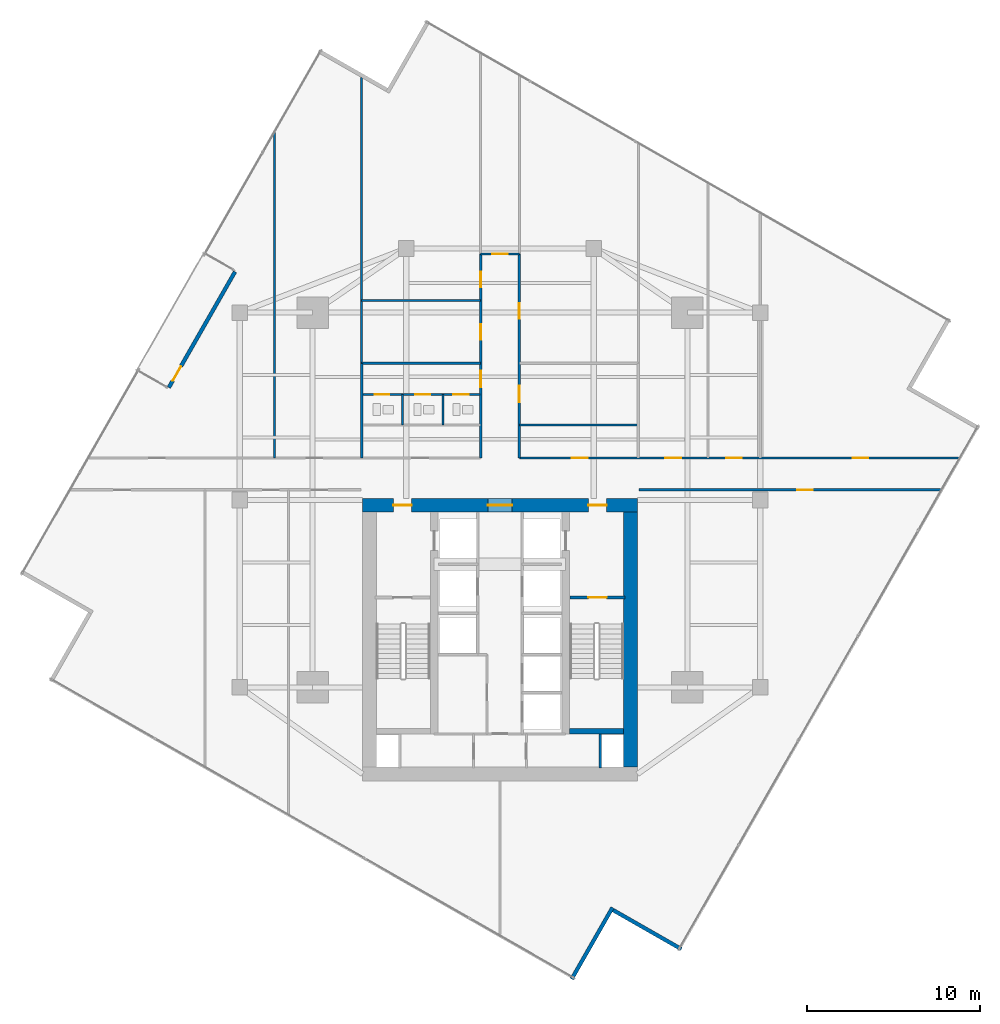
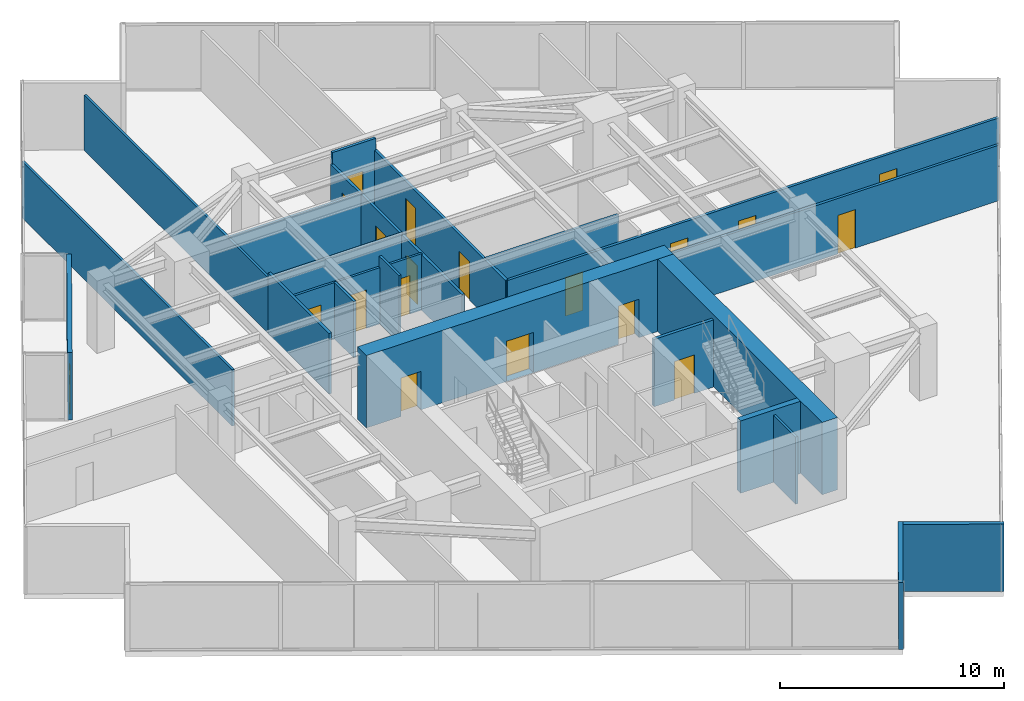
# One storey, part 21 of 24: 22 walls, 19 doors, 19 openings.
"""IFC4 building model written with IfcOpenShell, lengths in metres."""

from ifc_helpers import new_model, si_unit, direction, frame, frame_2d, origin, place, context, subcontext, project, spatial, rectangle, extrude, material, layer, layer_set, type_object, element, fill, save


model = new_model("IFC4")

# Units and contexts
model_context = context("Model", 3, precision=1e-05, world=origin(), true_north=direction((0.0, 1.0)))
body_context = subcontext(model_context, "Body", "Model", "MODEL_VIEW")
ifc_project = project(units=[si_unit("LENGTHUNIT", "METRE"), si_unit("AREAUNIT", "SQUARE_METRE"), si_unit("VOLUMEUNIT", "CUBIC_METRE"), si_unit("PLANEANGLEUNIT", "RADIAN"), si_unit("MASSUNIT", "GRAM", prefix="KILO")], contexts=[model_context])

# Site, building, storey
site_placement = place(None, origin())
site = spatial("IfcSite", under=ifc_project, at=site_placement, CompositionType="ELEMENT")
building_placement = place(site_placement, origin())
building = spatial("IfcBuilding", under=site, at=building_placement, Name="Krantzveldt Concourse Tower", CompositionType="ELEMENT")
storey_placement = place(building_placement, frame((0.0, 0.0, 169.89990234375)))
storey = spatial("IfcBuildingStorey", under=building, at=storey_placement, Name="L41", CompositionType="ELEMENT", Elevation=169.89990234375)

# Wall, opening, door
ifc_material_1 = material(Name="Anodised aluminium 6063-T6", Category="aluminium")
ifc_layer_1 = layer(ifc_material_1, 0.219970703125, Name="Anodised aluminium 6063-T6", Category="aluminium")
ifc_layer_set_1 = layer_set([ifc_layer_1], Name="Anodised aluminium 6063-T6 (WL-EXT-NOTCH220)")
wall_type_1 = type_object("IfcWallType", Name="WL-EXT-NOTCH220", PredefinedType="ELEMENTEDWALL", material=ifc_layer_set_1)
wall_1_placement = place(storey_placement, frame((16.910400390625, 33.181884765625, 0.0), z_axis=(0.0, 0.0, 1.0), x_axis=(0.496214153759, 0.868200157572, 0.0)))
wall_1 = element("IfcWall", 1, at=wall_1_placement, inside=storey, type_object=wall_type_1, Name="EW-L41-TSLOT", PredefinedType="ELEMENTEDWALL", context=body_context, shape_type="SweptSolid", body=[
    extrude(rectangle(XDim=7.68994140625, YDim=0.219970703125, at=frame_2d((3.844970703125, 0.0))), origin(), (0.0, 0.0, 1.0), 3.670166015625),
])
opening_1_placement = place(wall_1_placement, frame((0.449951171875, 0.0, 0.0)))
opening_1 = element("IfcOpeningElement", 2, at=opening_1_placement, cuts=wall_1, Name="Opening D-EX95", PredefinedType="OPENING", context=body_context, shape_type="SweptSolid", body=[
    extrude(rectangle(XDim=0.949951171875, YDim=2.10009765625, at=frame_2d((0.47509765625, 1.050048828125))), frame((0.0, 0.1201171875, 0.0), z_axis=(0.0, -1.0, 0.0), x_axis=(1.0, 0.0, 0.0)), (0.0, 0.0, 1.0), 0.239990234375),
])
door_type_1 = type_object("IfcDoorType", Name="DR-EXT-950", OperationType="SINGLE_SWING_LEFT", PredefinedType="DOOR", material=ifc_material_1)
door_1_placement = place(opening_1_placement, origin())
door_1 = element("IfcDoor", 3, at=door_1_placement, inside=storey, type_object=door_type_1, Name="DR-L41-TERR", OperationType="SINGLE_SWING_LEFT", OverallHeight=2.10009765625, OverallWidth=0.949951171875, PredefinedType="DOOR", context=body_context, shape_type="SweptSolid", body=[
    extrude(rectangle(XDim=0.949951171875, YDim=2.10009765625, at=frame_2d((0.47509765625, 1.050048828125))), frame((0.0, 0.02490234375, 0.0), z_axis=(0.0, -1.0, 0.0), x_axis=(1.0, 0.0, 0.0)), (0.0, 0.0, 1.0), 0.050048828125),
])
fill(opening_1, door_1)

# Walls
wall_2_placement = place(storey_placement, frame((40.131591796875, -0.914794921875, 0.0), z_axis=(0.0, 0.0, 1.0), x_axis=(0.496205429031, 0.868205144076, 0.0)))
element("IfcWall", 4, at=wall_2_placement, inside=storey, type_object=wall_type_1, Name="EW-L41-NCH09", PredefinedType="ELEMENTEDWALL", context=body_context, shape_type="SweptSolid", body=[
    extrude(rectangle(XDim=4.744873046875, YDim=0.219970703125, at=frame_2d((2.37255859375, 0.0))), origin(), (0.0, 0.0, 1.0), 3.670166015625),
])
wall_3_placement = place(storey_placement, frame((42.527099609375, 3.0546875, 0.0), z_axis=(0.0, 0.0, 1.0), x_axis=(0.868193332938, -0.496226094278, 0.0)))
element("IfcWall", 5, at=wall_3_placement, inside=storey, type_object=wall_type_1, Name="EW-L41-NCH10", PredefinedType="ELEMENTEDWALL", context=body_context, shape_type="SweptSolid", body=[
    extrude(rectangle(XDim=4.52490234375, YDim=0.219970703125, at=frame_2d((2.262451171875, 0.0))), origin(), (0.0, 0.0, 1.0), 3.670166015625),
])
ifc_material_2 = material(Name="Fire-rated gypsum plasterboard on steel stud", Category="steel")
ifc_layer_2 = layer(ifc_material_2, 0.1201171875, Name="Fire-rated gypsum plasterboard on steel stud", Category="steel")
ifc_layer_set_2 = layer_set([ifc_layer_2], Name="Fire-rated gypsum plasterboard on steel stud (WL-PART-120)")
wall_type_2 = type_object("IfcWallType", Name="WL-PART-120", PredefinedType="PARTITIONING", material=ifc_layer_set_2)
wall_4_placement = place(storey_placement, frame((37.1201171875, 31.02001953125, 0.0), z_axis=(0.0, 0.0, 1.0), x_axis=(1.0, 0.0, 0.0)))
element("IfcWall", 6, at=wall_4_placement, inside=storey, type_object=wall_type_2, Name="WP-L41-ISMR", PredefinedType="PARTITIONING", context=body_context, shape_type="SweptSolid", body=[
    extrude(rectangle(XDim=6.85986328125, YDim=0.1201171875, at=frame_2d((3.429931640625, 0.0))), origin(), (0.0, 0.0, 1.0), 3.080078125),
])

# Wall, openings, doors
wall_5_placement = place(storey_placement, frame((28.050048828125, 32.780029296875, 0.0), z_axis=(0.0, 0.0, 1.0), x_axis=(1.0, 0.0, 0.0)))
wall_5 = element("IfcWall", 7, at=wall_5_placement, inside=storey, type_object=wall_type_2, Name="WP-L41-WCHDR", PredefinedType="PARTITIONING", context=body_context, shape_type="SweptSolid", body=[
    extrude(rectangle(XDim=6.800048828125, YDim=0.1201171875, at=frame_2d((3.39990234375, 0.0))), origin(), (0.0, 0.0, 1.0), 3.080078125),
])
opening_2_placement = place(wall_5_placement, frame((0.72509765625, 0.0, 0.0)))
opening_2 = element("IfcOpeningElement", 8, at=opening_2_placement, cuts=wall_5, Name="Opening D-IN085", PredefinedType="OPENING", context=body_context, shape_type="SweptSolid", body=[
    extrude(rectangle(XDim=0.85009765625, YDim=2.10009765625, at=frame_2d((0.425048828125, 1.050048828125))), frame((0.0, 0.070068359375, 0.0), z_axis=(0.0, -1.0, 0.0), x_axis=(1.0, 0.0, 0.0)), (0.0, 0.0, 1.0), 0.14013671875),
])
opening_3_placement = place(wall_5_placement, frame((3.06494140625, 0.0, 0.0)))
opening_3 = element("IfcOpeningElement", 9, at=opening_3_placement, cuts=wall_5, Name="Opening D-IN085", PredefinedType="OPENING", context=body_context, shape_type="SweptSolid", body=[
    extrude(rectangle(XDim=0.85009765625, YDim=2.10009765625, at=frame_2d((0.425048828125, 1.050048828125))), frame((0.0, 0.070068359375, 0.0), z_axis=(0.0, -1.0, 0.0), x_axis=(1.0, 0.0, 0.0)), (0.0, 0.0, 1.0), 0.14013671875),
])
opening_4_placement = place(wall_5_placement, frame((5.25, 0.0, 0.0)))
opening_4 = element("IfcOpeningElement", 10, at=opening_4_placement, cuts=wall_5, Name="Opening D-IN090", PredefinedType="OPENING", context=body_context, shape_type="SweptSolid", body=[
    extrude(rectangle(XDim=0.89990234375, YDim=2.10009765625, at=frame_2d((0.449951171875, 1.050048828125))), frame((0.0, 0.070068359375, 0.0), z_axis=(0.0, -1.0, 0.0), x_axis=(1.0, 0.0, 0.0)), (0.0, 0.0, 1.0), 0.14013671875),
])
ifc_material_3 = material(Name="Hardwood timber", Category="wood")
door_type_2 = type_object("IfcDoorType", Name="DR-INT-850", OperationType="SINGLE_SWING_LEFT", PredefinedType="DOOR", material=ifc_material_3)
door_2_placement = place(opening_2_placement, origin())
door_2 = element("IfcDoor", 11, at=door_2_placement, inside=storey, type_object=door_type_2, Name="DR-L41-WCM", OperationType="SINGLE_SWING_LEFT", OverallHeight=2.10009765625, OverallWidth=0.85009765625, PredefinedType="DOOR", context=body_context, shape_type="SweptSolid", body=[
    extrude(rectangle(XDim=0.85009765625, YDim=2.10009765625, at=frame_2d((0.425048828125, 1.050048828125))), frame((0.0, 0.02490234375, 0.0), z_axis=(0.0, -1.0, 0.0), x_axis=(1.0, 0.0, 0.0)), (0.0, 0.0, 1.0), 0.050048828125),
])
fill(opening_2, door_2)
door_3_placement = place(opening_3_placement, origin())
door_3 = element("IfcDoor", 12, at=door_3_placement, inside=storey, type_object=door_type_2, Name="DR-L41-WCF", OperationType="SINGLE_SWING_RIGHT", OverallHeight=2.10009765625, OverallWidth=0.85009765625, PredefinedType="DOOR", context=body_context, shape_type="SweptSolid", body=[
    extrude(rectangle(XDim=0.85009765625, YDim=2.10009765625, at=frame_2d((0.425048828125, 1.050048828125))), frame((0.0, 0.02490234375, 0.0), z_axis=(0.0, -1.0, 0.0), x_axis=(1.0, 0.0, 0.0)), (0.0, 0.0, 1.0), 0.050048828125),
])
fill(opening_3, door_3)
door_type_3 = type_object("IfcDoorType", Name="DR-INT-900", OperationType="SINGLE_SWING_LEFT", PredefinedType="DOOR", material=ifc_material_3)
door_4_placement = place(opening_4_placement, origin())
door_4 = element("IfcDoor", 13, at=door_4_placement, inside=storey, type_object=door_type_3, Name="DR-L41-WCA", OperationType="SINGLE_SWING_LEFT", OverallHeight=2.10009765625, OverallWidth=0.89990234375, PredefinedType="DOOR", context=body_context, shape_type="SweptSolid", body=[
    extrude(rectangle(XDim=0.89990234375, YDim=2.10009765625, at=frame_2d((0.449951171875, 1.050048828125))), frame((0.0, 0.02490234375, 0.0), z_axis=(0.0, -1.0, 0.0), x_axis=(1.0, 0.0, 0.0)), (0.0, 0.0, 1.0), 0.050048828125),
])
fill(opening_4, door_4)

# Walls
wall_6_placement = place(storey_placement, frame((30.3701171875, 31.02001953125, 0.0), z_axis=(0.0, 0.0, 1.0), x_axis=(0.0, 1.0, 0.0)))
element("IfcWall", 14, at=wall_6_placement, inside=storey, type_object=wall_type_2, Name="WP-L41-WCD1", PredefinedType="PARTITIONING", context=body_context, shape_type="SweptSolid", body=[
    extrude(rectangle(XDim=1.760009765625, YDim=0.1201171875, at=frame_2d((0.8798828125, 0.0))), origin(), (0.0, 0.0, 1.0), 3.080078125),
])
wall_7_placement = place(storey_placement, frame((32.7099609375, 31.02001953125, 0.0), z_axis=(0.0, 0.0, 1.0), x_axis=(0.0, 1.0, 0.0)))
element("IfcWall", 15, at=wall_7_placement, inside=storey, type_object=wall_type_2, Name="WP-L41-WCD2", PredefinedType="PARTITIONING", context=body_context, shape_type="SweptSolid", body=[
    extrude(rectangle(XDim=1.760009765625, YDim=0.1201171875, at=frame_2d((0.8798828125, 0.0))), origin(), (0.0, 0.0, 1.0), 3.670166015625),
])
wall_8_placement = place(storey_placement, frame((23.0, 29.1201171875, 0.0), z_axis=(0.0, 0.0, 1.0), x_axis=(0.0, 1.0, 0.0)))
element("IfcWall", 16, at=wall_8_placement, inside=storey, type_object=wall_type_2, Name="WP-L41-NWX1", PredefinedType="PARTITIONING", context=body_context, shape_type="SweptSolid", body=[
    extrude(rectangle(XDim=18.787109375, YDim=0.1201171875, at=frame_2d((9.3935546875, 0.0))), origin(), (0.0, 0.0, 1.0), 3.080078125),
])
wall_9_placement = place(storey_placement, frame((28.02001953125, 34.580078125, 0.0), z_axis=(0.0, 0.0, 1.0), x_axis=(0.0, 1.0, 0.0)))
element("IfcWall", 17, at=wall_9_placement, inside=storey, type_object=wall_type_2, Name="WP-L41-ISWL2", PredefinedType="PARTITIONING", context=body_context, shape_type="SweptSolid", body=[
    extrude(rectangle(XDim=16.463134765625, YDim=0.1201171875, at=frame_2d((8.2314453125, 0.0))), origin(), (0.0, 0.0, 1.0), 3.030029296875),
])
wall_10_placement = place(storey_placement, frame((28.02001953125, 38.199951171875, 0.0), z_axis=(0.0, 0.0, 1.0), x_axis=(1.0, 0.0, 0.0)))
element("IfcWall", 18, at=wall_10_placement, inside=storey, type_object=wall_type_2, Name="WP-L41-NWIY", PredefinedType="PARTITIONING", context=body_context, shape_type="SweptSolid", body=[
    extrude(rectangle(XDim=6.85986328125, YDim=0.1201171875, at=frame_2d((3.429931640625, 0.0))), origin(), (0.0, 0.0, 1.0), 3.080078125),
])

# Wall, openings, doors
ifc_layer_3 = layer(ifc_material_2, 0.139892578125, Name="Fire-rated gypsum plasterboard on steel stud", Category="steel")
ifc_layer_set_3 = layer_set([ifc_layer_3], Name="Fire-rated gypsum plasterboard on steel stud (WL-PART-140)")
wall_type_3 = type_object("IfcWallType", Name="WL-PART-140", PredefinedType="PARTITIONING", material=ifc_layer_set_3)
wall_11_placement = place(storey_placement, frame((34.8798828125, 29.1201171875, 0.0), z_axis=(0.0, 0.0, 1.0), x_axis=(0.0, 1.0, 0.0)))
wall_11 = element("IfcWall", 19, at=wall_11_placement, inside=storey, type_object=wall_type_3, Name="WP-L41-SPWL", PredefinedType="PARTITIONING", context=body_context, shape_type="SweptSolid", body=[
    extrude(rectangle(XDim=11.759765625, YDim=0.139892578125, at=frame_2d((5.8798828125, 0.0))), origin(), (0.0, 0.0, 1.0), 3.030029296875),
])
opening_5_placement = place(wall_11_placement, frame((4.0849609375, 0.0, 0.0)))
opening_5 = element("IfcOpeningElement", 20, at=opening_5_placement, cuts=wall_11, Name="Opening D-IN095", PredefinedType="OPENING", context=body_context, shape_type="SweptSolid", body=[
    extrude(rectangle(XDim=0.949951171875, YDim=2.10009765625, at=frame_2d((0.47509765625, 1.050048828125))), frame((0.0, 0.080078125, 0.0), z_axis=(0.0, -1.0, 0.0), x_axis=(1.0, 0.0, 0.0)), (0.0, 0.0, 1.0), 0.159912109375),
])
opening_6_placement = place(wall_11_placement, frame((6.820068359375, 0.0, 0.0)))
opening_6 = element("IfcOpeningElement", 21, at=opening_6_placement, cuts=wall_11, Name="Opening D-IN090", PredefinedType="OPENING", context=body_context, shape_type="SweptSolid", body=[
    extrude(rectangle(XDim=0.89990234375, YDim=2.10009765625, at=frame_2d((0.449951171875, 1.050048828125))), frame((0.0, 0.080078125, 0.0), z_axis=(0.0, -1.0, 0.0), x_axis=(1.0, 0.0, 0.0)), (0.0, 0.0, 1.0), 0.159912109375),
])
opening_7_placement = place(wall_11_placement, frame((9.830078125, 0.0, 0.0)))
opening_7 = element("IfcOpeningElement", 22, at=opening_7_placement, cuts=wall_11, Name="Opening D-IN090", PredefinedType="OPENING", context=body_context, shape_type="SweptSolid", body=[
    extrude(rectangle(XDim=0.89990234375, YDim=2.10009765625, at=frame_2d((0.449951171875, 1.050048828125))), frame((0.0, 0.080078125, 0.0), z_axis=(0.0, -1.0, 0.0), x_axis=(1.0, 0.0, 0.0)), (0.0, 0.0, 1.0), 0.159912109375),
])
door_5_placement = place(opening_6_placement, origin())
door_5 = element("IfcDoor", 23, at=door_5_placement, inside=storey, type_object=door_type_3, Name="DR-L41-NWI1", OperationType="SINGLE_SWING_LEFT", OverallHeight=2.10009765625, OverallWidth=0.89990234375, PredefinedType="DOOR", context=body_context, shape_type="SweptSolid", body=[
    extrude(rectangle(XDim=0.89990234375, YDim=2.10009765625, at=frame_2d((0.449951171875, 1.050048828125))), frame((0.0, 0.02490234375, 0.0), z_axis=(0.0, -1.0, 0.0), x_axis=(1.0, 0.0, 0.0)), (0.0, 0.0, 1.0), 0.050048828125),
])
fill(opening_6, door_5)
door_6_placement = place(opening_7_placement, origin())
door_6 = element("IfcDoor", 24, at=door_6_placement, inside=storey, type_object=door_type_3, Name="DR-L41-NWI2", OperationType="SINGLE_SWING_LEFT", OverallHeight=2.10009765625, OverallWidth=0.89990234375, PredefinedType="DOOR", context=body_context, shape_type="SweptSolid", body=[
    extrude(rectangle(XDim=0.89990234375, YDim=2.10009765625, at=frame_2d((0.449951171875, 1.050048828125))), frame((0.0, 0.02490234375, 0.0), z_axis=(0.0, -1.0, 0.0), x_axis=(1.0, 0.0, 0.0)), (0.0, 0.0, 1.0), 0.050048828125),
])
fill(opening_7, door_6)
door_type_4 = type_object("IfcDoorType", Name="DR-INT-950", OperationType="SINGLE_SWING_LEFT", PredefinedType="DOOR", material=ifc_material_3)
door_7_placement = place(opening_5_placement, origin())
door_7 = element("IfcDoor", 25, at=door_7_placement, inside=storey, type_object=door_type_4, Name="DR-L41-WCLB", OperationType="SINGLE_SWING_LEFT", OverallHeight=2.10009765625, OverallWidth=0.949951171875, PredefinedType="DOOR", context=body_context, shape_type="SweptSolid", body=[
    extrude(rectangle(XDim=0.949951171875, YDim=2.10009765625, at=frame_2d((0.47509765625, 1.050048828125))), frame((0.0, 0.02490234375, 0.0), z_axis=(0.0, -1.0, 0.0), x_axis=(1.0, 0.0, 0.0)), (0.0, 0.0, 1.0), 0.050048828125),
])
fill(opening_5, door_7)

wall_12_placement = place(storey_placement, frame((37.1201171875, 29.1201171875, 0.0), z_axis=(0.0, 0.0, 1.0), x_axis=(0.0, 1.0, 0.0)))
wall_12 = element("IfcWall", 26, at=wall_12_placement, inside=storey, type_object=wall_type_3, Name="WP-L41-SPER", PredefinedType="PARTITIONING", context=body_context, shape_type="SweptSolid", body=[
    extrude(rectangle(XDim=11.759765625, YDim=0.139892578125, at=frame_2d((5.8798828125, 0.0))), origin(), (0.0, 0.0, 1.0), 3.030029296875),
])
opening_8_placement = place(wall_12_placement, frame((3.205078125, 0.0, 0.0)))
opening_8 = element("IfcOpeningElement", 27, at=opening_8_placement, cuts=wall_12, Name="Opening D-IN095", PredefinedType="OPENING", context=body_context, shape_type="SweptSolid", body=[
    extrude(rectangle(XDim=0.949951171875, YDim=2.10009765625, at=frame_2d((0.47509765625, 1.050048828125))), frame((0.0, 0.080078125, 0.0), z_axis=(0.0, -1.0, 0.0), x_axis=(1.0, 0.0, 0.0)), (0.0, 0.0, 1.0), 0.159912109375),
])
opening_9_placement = place(wall_12_placement, frame((8.02001953125, 0.0, 0.0)))
opening_9 = element("IfcOpeningElement", 28, at=opening_9_placement, cuts=wall_12, Name="Opening D-IN090", PredefinedType="OPENING", context=body_context, shape_type="SweptSolid", body=[
    extrude(rectangle(XDim=0.89990234375, YDim=2.10009765625, at=frame_2d((0.449951171875, 1.050048828125))), frame((0.0, 0.080078125, 0.0), z_axis=(0.0, -1.0, 0.0), x_axis=(1.0, 0.0, 0.0)), (0.0, 0.0, 1.0), 0.159912109375),
])
door_8_placement = place(opening_9_placement, origin())
door_8 = element("IfcDoor", 29, at=door_8_placement, inside=storey, type_object=door_type_3, Name="DR-L41-NEI1", OperationType="SINGLE_SWING_LEFT", OverallHeight=2.10009765625, OverallWidth=0.89990234375, PredefinedType="DOOR", context=body_context, shape_type="SweptSolid", body=[
    extrude(rectangle(XDim=0.89990234375, YDim=2.10009765625, at=frame_2d((0.449951171875, 1.050048828125))), frame((0.0, 0.02490234375, 0.0), z_axis=(0.0, -1.0, 0.0), x_axis=(1.0, 0.0, 0.0)), (0.0, 0.0, 1.0), 0.050048828125),
])
fill(opening_9, door_8)
door_9_placement = place(opening_8_placement, origin())
door_9 = element("IfcDoor", 30, at=door_9_placement, inside=storey, type_object=door_type_4, Name="DR-L41-PNT", OperationType="SINGLE_SWING_RIGHT", OverallHeight=2.10009765625, OverallWidth=0.949951171875, PredefinedType="DOOR", context=body_context, shape_type="SweptSolid", body=[
    extrude(rectangle(XDim=0.949951171875, YDim=2.10009765625, at=frame_2d((0.47509765625, 1.050048828125))), frame((0.0, 0.02490234375, 0.0), z_axis=(0.0, -1.0, 0.0), x_axis=(1.0, 0.0, 0.0)), (0.0, 0.0, 1.0), 0.050048828125),
])
fill(opening_8, door_9)

# Wall, opening, door
wall_13_placement = place(storey_placement, frame((34.8798828125, 40.8798828125, 0.0), z_axis=(0.0, 0.0, 1.0), x_axis=(1.0, 0.0, 0.0)))
wall_13 = element("IfcWall", 31, at=wall_13_placement, inside=storey, type_object=wall_type_3, Name="WP-L41-SPTOP", PredefinedType="PARTITIONING", context=body_context, shape_type="SweptSolid", body=[
    extrude(rectangle(XDim=2.240234375, YDim=0.139892578125, at=frame_2d((1.1201171875, 0.0))), origin(), (0.0, 0.0, 1.0), 3.670166015625),
])
opening_10_placement = place(wall_13_placement, frame((0.669921875, 0.0, 0.0)))
opening_10 = element("IfcOpeningElement", 32, at=opening_10_placement, cuts=wall_13, Name="Opening D-IN090", PredefinedType="OPENING", context=body_context, shape_type="SweptSolid", body=[
    extrude(rectangle(XDim=0.89990234375, YDim=2.10009765625, at=frame_2d((0.449951171875, 1.050048828125))), frame((0.0, 0.080078125, 0.0), z_axis=(0.0, -1.0, 0.0), x_axis=(1.0, 0.0, 0.0)), (0.0, 0.0, 1.0), 0.159912109375),
])
door_10_placement = place(opening_10_placement, origin())
door_10 = element("IfcDoor", 33, at=door_10_placement, inside=storey, type_object=door_type_3, Name="DR-L41-NTOP", OperationType="SINGLE_SWING_LEFT", OverallHeight=2.10009765625, OverallWidth=0.89990234375, PredefinedType="DOOR", context=body_context, shape_type="SweptSolid", body=[
    extrude(rectangle(XDim=0.89990234375, YDim=2.10009765625, at=frame_2d((0.449951171875, 1.050048828125))), frame((0.0, 0.02490234375, 0.0), z_axis=(0.0, -1.0, 0.0), x_axis=(1.0, 0.0, 0.0)), (0.0, 0.0, 1.0), 0.050048828125),
])
fill(opening_10, door_10)

# Wall, openings, doors
wall_14_placement = place(storey_placement, frame((37.1201171875, 29.1201171875, 0.0), z_axis=(0.0, 0.0, 1.0), x_axis=(1.0, 0.0, 0.0)))
wall_14 = element("IfcWall", 34, at=wall_14_placement, inside=storey, type_object=wall_type_3, Name="WP-L41-EWNR", PredefinedType="PARTITIONING", context=body_context, shape_type="SweptSolid", body=[
    extrude(rectangle(XDim=25.384033203125, YDim=0.139892578125, at=frame_2d((12.69189453125, 0.0))), origin(), (0.0, 0.0, 1.0), 3.030029296875),
])
opening_11_placement = place(wall_14_placement, frame((3.030029296875, 0.0, 0.0)))
opening_11 = element("IfcOpeningElement", 35, at=opening_11_placement, cuts=wall_14, Name="Opening D-IN090", PredefinedType="OPENING", context=body_context, shape_type="SweptSolid", body=[
    extrude(rectangle(XDim=0.89990234375, YDim=2.10009765625, at=frame_2d((0.449951171875, 1.050048828125))), frame((0.0, 0.080078125, 0.0), z_axis=(0.0, -1.0, 0.0), x_axis=(1.0, 0.0, 0.0)), (0.0, 0.0, 1.0), 0.159912109375),
])
opening_12_placement = place(wall_14_placement, frame((8.419921875, 0.0, 0.0)))
opening_12 = element("IfcOpeningElement", 36, at=opening_12_placement, cuts=wall_14, Name="Opening D-IN090", PredefinedType="OPENING", context=body_context, shape_type="SweptSolid", body=[
    extrude(rectangle(XDim=0.89990234375, YDim=2.10009765625, at=frame_2d((0.449951171875, 1.050048828125))), frame((0.0, 0.080078125, 0.0), z_axis=(0.0, -1.0, 0.0), x_axis=(1.0, 0.0, 0.0)), (0.0, 0.0, 1.0), 0.159912109375),
])
opening_13_placement = place(wall_14_placement, frame((11.929931640625, 0.0, 0.0)))
opening_13 = element("IfcOpeningElement", 37, at=opening_13_placement, cuts=wall_14, Name="Opening D-IN090", PredefinedType="OPENING", context=body_context, shape_type="SweptSolid", body=[
    extrude(rectangle(XDim=0.89990234375, YDim=2.10009765625, at=frame_2d((0.449951171875, 1.050048828125))), frame((0.0, 0.080078125, 0.0), z_axis=(0.0, -1.0, 0.0), x_axis=(1.0, 0.0, 0.0)), (0.0, 0.0, 1.0), 0.159912109375),
])
opening_14_placement = place(wall_14_placement, frame((19.2041015625, 0.0, 0.0)))
opening_14 = element("IfcOpeningElement", 38, at=opening_14_placement, cuts=wall_14, Name="Opening D-IN090", PredefinedType="OPENING", context=body_context, shape_type="SweptSolid", body=[
    extrude(rectangle(XDim=0.89990234375, YDim=2.10009765625, at=frame_2d((0.449951171875, 1.050048828125))), frame((0.0, 0.080078125, 0.0), z_axis=(0.0, -1.0, 0.0), x_axis=(1.0, 0.0, 0.0)), (0.0, 0.0, 1.0), 0.159912109375),
])
door_11_placement = place(opening_11_placement, origin())
door_11 = element("IfcDoor", 39, at=door_11_placement, inside=storey, type_object=door_type_3, Name="DR-L41-ALCR", OperationType="SINGLE_SWING_RIGHT", OverallHeight=2.10009765625, OverallWidth=0.89990234375, PredefinedType="DOOR", context=body_context, shape_type="SweptSolid", body=[
    extrude(rectangle(XDim=0.89990234375, YDim=2.10009765625, at=frame_2d((0.449951171875, 1.050048828125))), frame((0.0, 0.02490234375, 0.0), z_axis=(0.0, -1.0, 0.0), x_axis=(1.0, 0.0, 0.0)), (0.0, 0.0, 1.0), 0.050048828125),
])
fill(opening_11, door_11)
door_12_placement = place(opening_12_placement, origin())
door_12 = element("IfcDoor", 40, at=door_12_placement, inside=storey, type_object=door_type_3, Name="DR-L41-NEX1", OperationType="SINGLE_SWING_RIGHT", OverallHeight=2.10009765625, OverallWidth=0.89990234375, PredefinedType="DOOR", context=body_context, shape_type="SweptSolid", body=[
    extrude(rectangle(XDim=0.89990234375, YDim=2.10009765625, at=frame_2d((0.449951171875, 1.050048828125))), frame((0.0, 0.02490234375, 0.0), z_axis=(0.0, -1.0, 0.0), x_axis=(1.0, 0.0, 0.0)), (0.0, 0.0, 1.0), 0.050048828125),
])
fill(opening_12, door_12)
door_13_placement = place(opening_13_placement, origin())
door_13 = element("IfcDoor", 41, at=door_13_placement, inside=storey, type_object=door_type_3, Name="DR-L41-NEX2", OperationType="SINGLE_SWING_RIGHT", OverallHeight=2.10009765625, OverallWidth=0.89990234375, PredefinedType="DOOR", context=body_context, shape_type="SweptSolid", body=[
    extrude(rectangle(XDim=0.89990234375, YDim=2.10009765625, at=frame_2d((0.449951171875, 1.050048828125))), frame((0.0, 0.02490234375, 0.0), z_axis=(0.0, -1.0, 0.0), x_axis=(1.0, 0.0, 0.0)), (0.0, 0.0, 1.0), 0.050048828125),
])
fill(opening_13, door_13)
door_14_placement = place(opening_14_placement, origin())
door_14 = element("IfcDoor", 42, at=door_14_placement, inside=storey, type_object=door_type_3, Name="DR-L41-NEX3", OperationType="SINGLE_SWING_RIGHT", OverallHeight=2.10009765625, OverallWidth=0.89990234375, PredefinedType="DOOR", context=body_context, shape_type="SweptSolid", body=[
    extrude(rectangle(XDim=0.89990234375, YDim=2.10009765625, at=frame_2d((0.449951171875, 1.050048828125))), frame((0.0, 0.02490234375, 0.0), z_axis=(0.0, -1.0, 0.0), x_axis=(1.0, 0.0, 0.0)), (0.0, 0.0, 1.0), 0.050048828125),
])
fill(opening_14, door_14)

# Wall, opening, door
wall_15_placement = place(storey_placement, frame((44.0, 27.280029296875, 0.0), z_axis=(0.0, 0.0, 1.0), x_axis=(1.0, 0.0, 0.0)))
wall_15 = element("IfcWall", 43, at=wall_15_placement, inside=storey, type_object=wall_type_3, Name="WP-L41-EWSR", PredefinedType="PARTITIONING", context=body_context, shape_type="SweptSolid", body=[
    extrude(rectangle(XDim=17.452392578125, YDim=0.139892578125, at=frame_2d((8.72607421875, 0.0))), origin(), (0.0, 0.0, 1.0), 3.030029296875),
])
opening_15_placement = place(wall_15_placement, frame((9.1240234375, 0.0, 0.0)))
opening_15 = element("IfcOpeningElement", 44, at=opening_15_placement, cuts=wall_15, Name="Opening D-IN090", PredefinedType="OPENING", context=body_context, shape_type="SweptSolid", body=[
    extrude(rectangle(XDim=0.89990234375, YDim=2.10009765625, at=frame_2d((0.449951171875, 1.050048828125))), frame((0.0, 0.080078125, 0.0), z_axis=(0.0, -1.0, 0.0), x_axis=(1.0, 0.0, 0.0)), (0.0, 0.0, 1.0), 0.159912109375),
])
door_15_placement = place(opening_15_placement, origin())
door_15 = element("IfcDoor", 45, at=door_15_placement, inside=storey, type_object=door_type_3, Name="DR-L41-SEX1", OperationType="SINGLE_SWING_RIGHT", OverallHeight=2.10009765625, OverallWidth=0.89990234375, PredefinedType="DOOR", context=body_context, shape_type="SweptSolid", body=[
    extrude(rectangle(XDim=0.89990234375, YDim=2.10009765625, at=frame_2d((0.449951171875, 1.050048828125))), frame((0.0, 0.02490234375, 0.0), z_axis=(0.0, -1.0, 0.0), x_axis=(1.0, 0.0, 0.0)), (0.0, 0.0, 1.0), 0.050048828125),
])
fill(opening_15, door_15)

# Walls
wall_16_placement = place(storey_placement, frame((28.02001953125, 34.580078125, 0.0), z_axis=(0.0, 0.0, 1.0), x_axis=(1.0, 0.0, 0.0)))
element("IfcWall", 46, at=wall_16_placement, inside=storey, type_object=wall_type_3, Name="WP-L41-ISNL", PredefinedType="PARTITIONING", context=body_context, shape_type="SweptSolid", body=[
    extrude(rectangle(XDim=6.85986328125, YDim=0.139892578125, at=frame_2d((3.429931640625, 0.0))), origin(), (0.0, 0.0, 1.0), 3.080078125),
])
wall_17_placement = place(storey_placement, frame((28.02001953125, 29.1201171875, 0.0), z_axis=(0.0, 0.0, 1.0), x_axis=(0.0, 1.0, 0.0)))
element("IfcWall", 47, at=wall_17_placement, inside=storey, type_object=wall_type_3, Name="WP-L41-ISWL", PredefinedType="PARTITIONING", context=body_context, shape_type="SweptSolid", body=[
    extrude(rectangle(XDim=5.4599609375, YDim=0.139892578125, at=frame_2d((2.72998046875, 0.0))), origin(), (0.0, 0.0, 1.0), 3.31005859375),
])
ifc_layer_4 = layer(ifc_material_2, 0.139892578125, Name="Fire-rated gypsum plasterboard on steel stud", Category="steel")
ifc_layer_set_4 = layer_set([ifc_layer_4], Name="Fire-rated gypsum plasterboard on steel stud (WL-PART-FR140)")
wall_type_4 = type_object("IfcWallType", Name="WL-PART-FR140", PredefinedType="PARTITIONING", material=ifc_layer_set_4)
wall_18_placement = place(storey_placement, frame((41.780029296875, 11.25, 0.0), z_axis=(0.0, 0.0, 1.0), x_axis=(0.0, 1.0, 0.0)))
element("IfcWall", 48, at=wall_18_placement, inside=storey, type_object=wall_type_4, Name="WP-L41-RSE", PredefinedType="PARTITIONING", context=body_context, shape_type="SweptSolid", body=[
    extrude(rectangle(XDim=1.969970703125, YDim=0.1201171875, at=frame_2d((0.98486328125, 0.0))), origin(), (0.0, 0.0, 1.0), 3.670166015625),
])

# Wall, opening, door
ifc_layer_5 = layer(ifc_material_2, 0.159912109375, Name="Fire-rated gypsum plasterboard on steel stud", Category="steel")
ifc_layer_set_5 = layer_set([ifc_layer_5], Name="Fire-rated gypsum plasterboard on steel stud (WL-PART-FR160)")
wall_type_5 = type_object("IfcWallType", Name="WL-PART-FR160", PredefinedType="PARTITIONING", material=ifc_layer_set_5)
wall_19_placement = place(storey_placement, frame((40.0400390625, 21.080078125, 0.0), z_axis=(0.0, 0.0, 1.0), x_axis=(1.0, 0.0, 0.0)))
wall_19 = element("IfcWall", 49, at=wall_19_placement, inside=storey, type_object=wall_type_5, Name="WP-L41-ST2", PredefinedType="PARTITIONING", context=body_context, shape_type="SweptSolid", body=[
    extrude(rectangle(XDim=3.159912109375, YDim=0.159912109375, at=frame_2d((1.580078125, 0.0))), origin(), (0.0, 0.0, 1.0), 3.670166015625),
])
opening_16_placement = place(wall_19_placement, frame((1.054931640625, 0.0, 0.0)))
opening_16 = element("IfcOpeningElement", 50, at=opening_16_placement, cuts=wall_19, Name="Opening D-FD105", PredefinedType="OPENING", context=body_context, shape_type="SweptSolid", body=[
    extrude(rectangle(XDim=1.050048828125, YDim=2.10009765625, at=frame_2d((0.52490234375, 1.050048828125))), frame((0.0, 0.08984375, 0.0), z_axis=(0.0, -1.0, 0.0), x_axis=(1.0, 0.0, 0.0)), (0.0, 0.0, 1.0), 0.179931640625),
])
ifc_material_4 = material(Name="Galvanised steel", Category="steel")
door_type_5 = type_object("IfcDoorType", Name="DR-FD120-1050", OperationType="SINGLE_SWING_LEFT", PredefinedType="DOOR", material=ifc_material_4)
door_16_placement = place(opening_16_placement, origin())
door_16 = element("IfcDoor", 51, at=door_16_placement, inside=storey, type_object=door_type_5, Name="DR-L41-ST2", OperationType="SINGLE_SWING_LEFT", OverallHeight=2.10009765625, OverallWidth=1.050048828125, PredefinedType="DOOR", context=body_context, shape_type="SweptSolid", body=[
    extrude(rectangle(XDim=1.050048828125, YDim=2.10009765625, at=frame_2d((0.52490234375, 1.050048828125))), frame((0.0, 0.02490234375, 0.0), z_axis=(0.0, -1.0, 0.0), x_axis=(1.0, 0.0, 0.0)), (0.0, 0.0, 1.0), 0.050048828125),
])
fill(opening_16, door_16)

# Wall
ifc_material_5 = material(Name="Concrete C50/60", Category="concrete")
ifc_layer_6 = layer(ifc_material_5, 0.300048828125, Name="Concrete C50/60", Category="concrete")
ifc_layer_set_6 = layer_set([ifc_layer_6], Name="Concrete C50/60 (WL-SHEAR-300)")
wall_type_6 = type_object("IfcWallType", Name="WL-SHEAR-300", PredefinedType="SHEAR", material=ifc_layer_set_6)
wall_20_placement = place(storey_placement, frame((40.02001953125, 13.3701171875, 0.0), z_axis=(0.0, 0.0, 1.0), x_axis=(1.0, 0.0, 0.0)))
element("IfcWall", 52, at=wall_20_placement, inside=storey, type_object=wall_type_6, Name="CW-L41-ST2S", PredefinedType="SHEAR", context=body_context, shape_type="SweptSolid", body=[
    extrude(rectangle(XDim=3.10009765625, YDim=0.300048828125, at=frame_2d((1.550048828125, 0.0))), origin(), (0.0, 0.0, 1.0), 3.9501953125),
])

# Wall, openings, doors
ifc_material_6 = material(Name="Concrete C60/75", Category="concrete")
ifc_layer_7 = layer(ifc_material_6, 0.800048828125, Name="Concrete C60/75", Category="concrete")
ifc_layer_set_7 = layer_set([ifc_layer_7], Name="Concrete C60/75 (WL-SHEAR-800)")
wall_type_7 = type_object("IfcWallType", Name="WL-SHEAR-800", PredefinedType="SHEAR", material=ifc_layer_set_7)
wall_21_placement = place(storey_placement, frame((28.080078125, 26.39990234375, 0.0), z_axis=(0.0, 0.0, 1.0), x_axis=(1.0, 0.0, 0.0)))
wall_21 = element("IfcWall", 53, at=wall_21_placement, inside=storey, type_object=wall_type_7, Name="CW-L41-N", PredefinedType="SHEAR", context=body_context, shape_type="SweptSolid", body=[
    extrude(rectangle(XDim=15.83984375, YDim=0.800048828125, at=frame_2d((7.919921875, 0.0))), origin(), (0.0, 0.0, 1.0), 3.9501953125),
])
opening_17_placement = place(wall_21_placement, frame((7.219970703125, 0.0, 0.0)))
opening_17 = element("IfcOpeningElement", 54, at=opening_17_placement, cuts=wall_21, Name="Opening D-DB140", PredefinedType="OPENING", context=body_context, shape_type="SweptSolid", body=[
    extrude(rectangle(XDim=1.39990234375, YDim=2.199951171875, at=frame_2d((0.699951171875, 1.10009765625))), frame((0.0, 0.41015625, 0.0), z_axis=(0.0, -1.0, 0.0), x_axis=(1.0, 0.0, 0.0)), (0.0, 0.0, 1.0), 0.820068359375),
])
opening_18_placement = place(wall_21_placement, frame((1.77490234375, 0.0, 0.0)))
opening_18 = element("IfcOpeningElement", 55, at=opening_18_placement, cuts=wall_21, Name="Opening D-FD105", PredefinedType="OPENING", context=body_context, shape_type="SweptSolid", body=[
    extrude(rectangle(XDim=1.050048828125, YDim=2.10009765625, at=frame_2d((0.52490234375, 1.050048828125))), frame((0.0, 0.41015625, 0.0), z_axis=(0.0, -1.0, 0.0), x_axis=(1.0, 0.0, 0.0)), (0.0, 0.0, 1.0), 0.820068359375),
])
opening_19_placement = place(wall_21_placement, frame((13.014892578125, 0.0, 0.0)))
opening_19 = element("IfcOpeningElement", 56, at=opening_19_placement, cuts=wall_21, Name="Opening D-FD105", PredefinedType="OPENING", context=body_context, shape_type="SweptSolid", body=[
    extrude(rectangle(XDim=1.050048828125, YDim=2.10009765625, at=frame_2d((0.52490234375, 1.050048828125))), frame((0.0, 0.41015625, 0.0), z_axis=(0.0, -1.0, 0.0), x_axis=(1.0, 0.0, 0.0)), (0.0, 0.0, 1.0), 0.820068359375),
])
door_type_6 = type_object("IfcDoorType", Name="DR-DBL-1400", OperationType="DOUBLE_DOOR_SINGLE_SWING", PredefinedType="DOOR", material=ifc_material_1)
door_17_placement = place(opening_17_placement, origin())
door_17 = element("IfcDoor", 57, at=door_17_placement, inside=storey, type_object=door_type_6, Name="DR-L41-LLB", OperationType="DOUBLE_DOOR_SINGLE_SWING", OverallHeight=2.199951171875, OverallWidth=1.39990234375, PredefinedType="DOOR", context=body_context, shape_type="SweptSolid", body=[
    extrude(rectangle(XDim=1.39990234375, YDim=2.199951171875, at=frame_2d((0.699951171875, 1.10009765625))), frame((0.0, 0.02490234375, 0.0), z_axis=(0.0, -1.0, 0.0), x_axis=(1.0, 0.0, 0.0)), (0.0, 0.0, 1.0), 0.050048828125),
])
fill(opening_17, door_17)
door_18_placement = place(opening_18_placement, origin())
door_18 = element("IfcDoor", 58, at=door_18_placement, inside=storey, type_object=door_type_5, Name="DR-L41-FFL1", OperationType="SINGLE_SWING_LEFT", OverallHeight=2.10009765625, OverallWidth=1.050048828125, PredefinedType="DOOR", context=body_context, shape_type="SweptSolid", body=[
    extrude(rectangle(XDim=1.050048828125, YDim=2.10009765625, at=frame_2d((0.52490234375, 1.050048828125))), frame((0.0, 0.02490234375, 0.0), z_axis=(0.0, -1.0, 0.0), x_axis=(1.0, 0.0, 0.0)), (0.0, 0.0, 1.0), 0.050048828125),
])
fill(opening_18, door_18)
door_19_placement = place(opening_19_placement, origin())
door_19 = element("IfcDoor", 59, at=door_19_placement, inside=storey, type_object=door_type_5, Name="DR-L41-FFL2", OperationType="SINGLE_SWING_RIGHT", OverallHeight=2.10009765625, OverallWidth=1.050048828125, PredefinedType="DOOR", context=body_context, shape_type="SweptSolid", body=[
    extrude(rectangle(XDim=1.050048828125, YDim=2.10009765625, at=frame_2d((0.52490234375, 1.050048828125))), frame((0.0, 0.02490234375, 0.0), z_axis=(0.0, -1.0, 0.0), x_axis=(1.0, 0.0, 0.0)), (0.0, 0.0, 1.0), 0.050048828125),
])
fill(opening_19, door_19)

# Wall
wall_22_placement = place(storey_placement, frame((43.52001953125, 11.300048828125, 0.0), z_axis=(0.0, 0.0, 1.0), x_axis=(0.0, 1.0, 0.0)))
element("IfcWall", 60, at=wall_22_placement, inside=storey, type_object=wall_type_7, Name="CW-L41-E", PredefinedType="SHEAR", context=body_context, shape_type="SweptSolid", body=[
    extrude(rectangle(XDim=14.699951171875, YDim=0.800048828125, at=frame_2d((7.35009765625, 0.0))), origin(), (0.0, 0.0, 1.0), 3.9501953125),
])

save(model, "model.ifc")
